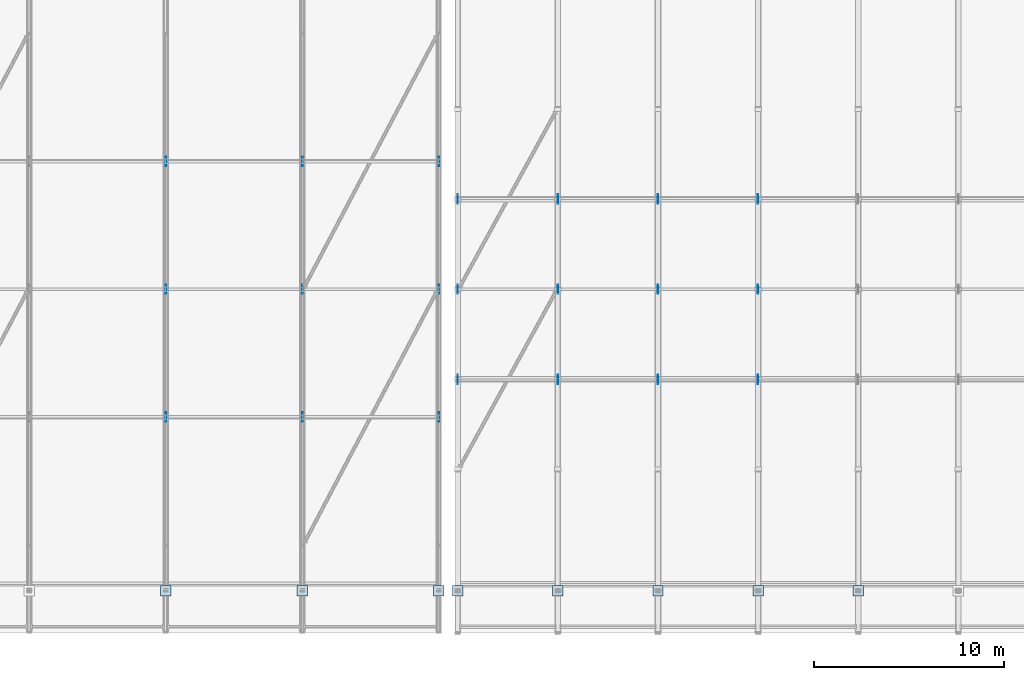
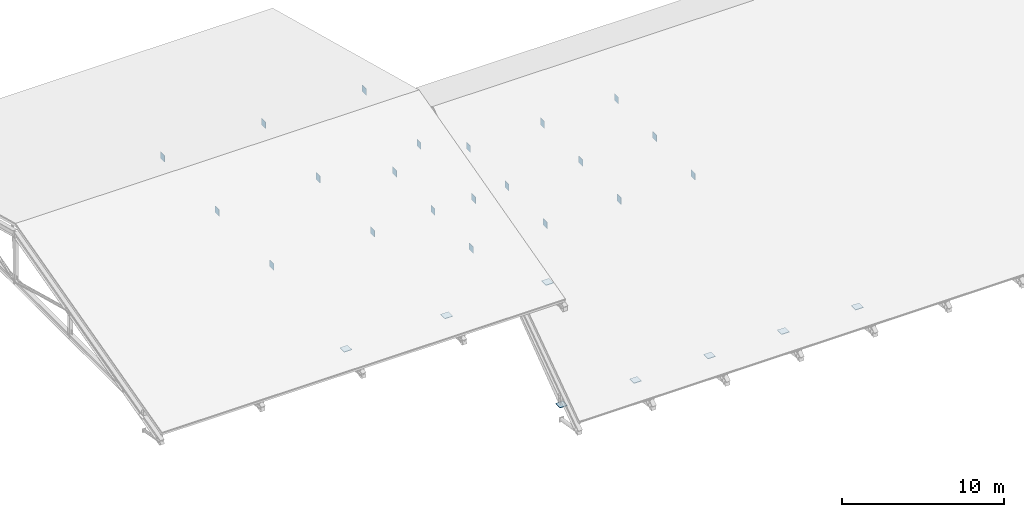
# One storey, part 34 of 57: 29 plates.
"""IFC4 building model written with IfcOpenShell, lengths in metres."""

from ifc_helpers import new_model, si_unit, direction, frame, origin, origin_2d, place, context, subcontext, project, spatial, rectangle, extrude, material, layer, layer_set, type_object, element, save


model = new_model("IFC4")

# Units and contexts
model_context = context("Model", 3, precision=1e-05, world=origin(), true_north=direction((0.0, 1.0)))
body_context = subcontext(model_context, "Body", "Model", "MODEL_VIEW")
ifc_project = project(units=[si_unit("LENGTHUNIT", "METRE"), si_unit("AREAUNIT", "SQUARE_METRE"), si_unit("VOLUMEUNIT", "CUBIC_METRE"), si_unit("PLANEANGLEUNIT", "RADIAN"), si_unit("MASSUNIT", "GRAM", prefix="KILO")], contexts=[model_context])

# Site, building, storey
site_placement = place(None, origin())
site = spatial("IfcSite", under=ifc_project, at=site_placement, CompositionType="ELEMENT")
building_placement = place(site_placement, origin())
building = spatial("IfcBuilding", under=site, at=building_placement, Name="Kelarvand Opera House", CompositionType="ELEMENT")
storey_placement = place(building_placement, frame((0.0, 0.0, 33.60009765625)))
storey = spatial("IfcBuildingStorey", under=building, at=storey_placement, Name="Roof", CompositionType="ELEMENT", Elevation=33.60009765625)

# Plates
ifc_material = material(Name="Steel S355", Category="steel")
ifc_layer_1 = layer(ifc_material, 0.035888671875, Name="Steel S355", Category="steel")
ifc_layer_set_1 = layer_set([ifc_layer_1], Name="Steel S355")
plate_type_1 = type_object("IfcPlateType", Name="Steel Truss Bearing Base Plate 36mm", PredefinedType="USERDEFINED", material=ifc_layer_set_1)
for number, where, z_axis, x_axis, name in (
    (1, (89.0, 46.60009765625, -9.60009765625), (0.0, 0.0, 1.0), (1.0, 0.0, 0.0), "V1 Roof Truss Bearing Plate 1S"),
    (2, (94.280029296875, 46.60009765625, -9.60009765625), (0.0, 0.0, 1.0), (1.0, 0.0, 0.0), "V1 Roof Truss Bearing Plate 2S"),
    (3, (99.56005859375, 46.60009765625, -9.60009765625), (0.0, 0.0, 1.0), (1.0, 0.0, 0.0), "V1 Roof Truss Bearing Plate 3S"),
    (4, (104.840087890625, 46.60009765625, -9.60009765625), (0.0, 0.0, 1.0), (1.0, 0.0, 0.0), "V1 Roof Truss Bearing Plate 4S"),
    (5, (110.1201171875, 46.60009765625, -9.60009765625), (0.0, 0.0, 1.0), (1.0, 0.0, 0.0), "V1 Roof Truss Bearing Plate 5S"),
    (6, (73.60009765625, 46.60009765625, 0.0), (0.0, 0.0, 1.0), (1.0, 0.0, 0.0), "V2 Roof Truss Bearing Plate 3S"),
    (7, (80.800048828125, 46.60009765625, 0.0), (0.0, 0.0, 1.0), (1.0, 0.0, 0.0), "V2 Roof Truss Bearing Plate 4S"),
    (8, (88.0, 46.60009765625, 0.0), (0.0, 0.0, 1.0), (1.0, 0.0, 0.0), "V2 Roof Truss Bearing Plate 5S"),
):
    element("IfcPlate", number, at=place(storey_placement, frame(where, z_axis=z_axis, x_axis=x_axis)), inside=storey, type_object=plate_type_1, Name=name, ObjectType="BASE PLATE", PredefinedType="USERDEFINED", context=body_context, shape_type="SweptSolid", body=[
        extrude(rectangle(XDim=0.550048828125, YDim=0.550048828125, at=origin_2d()), origin(), (0.0, 0.0, 1.0), 0.035888671875),
    ])
ifc_layer_2 = layer(ifc_material, 0.02392578125, Name="Steel S355", Category="steel")
ifc_layer_set_2 = layer_set([ifc_layer_2], Name="Steel S355")
plate_type_2 = type_object("IfcPlateType", Name="Steel Truss Gusset Plate 24mm", PredefinedType="SHEET", material=ifc_layer_set_2)
for number, where, z_axis, x_axis, name in (
    (9, (89.0, 57.75, -4.800048828125), (0.0, 0.0, 1.0), (1.0, 0.0, 0.0), "Roof Truss Gusset Plate 29"),
    (10, (89.0, 62.5, -4.800048828125), (0.0, 0.0, 1.0), (1.0, 0.0, 0.0), "Roof Truss Gusset Plate 30"),
    (11, (89.0, 67.25, -4.800048828125), (0.0, 0.0, 1.0), (1.0, 0.0, 0.0), "Roof Truss Gusset Plate 31"),
    (12, (94.280029296875, 57.75, -4.800048828125), (0.0, 0.0, 1.0), (1.0, 0.0, 0.0), "Roof Truss Gusset Plate 32"),
    (13, (94.280029296875, 62.5, -4.800048828125), (0.0, 0.0, 1.0), (1.0, 0.0, 0.0), "Roof Truss Gusset Plate 33"),
    (14, (94.280029296875, 67.25, -4.800048828125), (0.0, 0.0, 1.0), (1.0, 0.0, 0.0), "Roof Truss Gusset Plate 34"),
    (15, (99.56005859375, 57.75, -4.800048828125), (0.0, 0.0, 1.0), (1.0, 0.0, 0.0), "Roof Truss Gusset Plate 35"),
    (16, (99.56005859375, 62.5, -4.800048828125), (0.0, 0.0, 1.0), (1.0, 0.0, 0.0), "Roof Truss Gusset Plate 36"),
    (17, (99.56005859375, 67.25, -4.800048828125), (0.0, 0.0, 1.0), (1.0, 0.0, 0.0), "Roof Truss Gusset Plate 37"),
    (18, (104.840087890625, 57.75, -4.800048828125), (0.0, 0.0, 1.0), (1.0, 0.0, 0.0), "Roof Truss Gusset Plate 38"),
    (19, (104.840087890625, 62.5, -4.800048828125), (0.0, 0.0, 1.0), (1.0, 0.0, 0.0), "Roof Truss Gusset Plate 39"),
    (20, (104.840087890625, 67.25, -4.800048828125), (0.0, 0.0, 1.0), (1.0, 0.0, 0.0), "Roof Truss Gusset Plate 40"),
    (21, (73.60009765625, 55.75, 0.52001953125), (0.0, 0.0, 1.0), (1.0, 0.0, 0.0), "Roof Truss Gusset Plate 68"),
    (22, (73.60009765625, 62.5, 0.52001953125), (0.0, 0.0, 1.0), (1.0, 0.0, 0.0), "Roof Truss Gusset Plate 69"),
    (23, (73.60009765625, 69.25, 0.52001953125), (0.0, 0.0, 1.0), (1.0, 0.0, 0.0), "Roof Truss Gusset Plate 70"),
    (24, (80.800048828125, 55.75, 0.52001953125), (0.0, 0.0, 1.0), (1.0, 0.0, 0.0), "Roof Truss Gusset Plate 71"),
    (25, (80.800048828125, 62.5, 0.52001953125), (0.0, 0.0, 1.0), (1.0, 0.0, 0.0), "Roof Truss Gusset Plate 72"),
    (26, (80.800048828125, 69.25, 0.52001953125), (0.0, 0.0, 1.0), (1.0, 0.0, 0.0), "Roof Truss Gusset Plate 73"),
    (27, (88.0, 55.75, 0.52001953125), (0.0, 0.0, 1.0), (1.0, 0.0, 0.0), "Roof Truss Gusset Plate 74"),
    (28, (88.0, 62.5, 0.52001953125), (0.0, 0.0, 1.0), (1.0, 0.0, 0.0), "Roof Truss Gusset Plate 75"),
    (29, (88.0, 69.25, 0.52001953125), (0.0, 0.0, 1.0), (1.0, 0.0, 0.0), "Roof Truss Gusset Plate 76"),
):
    element("IfcPlate", number, at=place(storey_placement, frame(where, z_axis=z_axis, x_axis=x_axis)), inside=storey, type_object=plate_type_2, Name=name, PredefinedType="SHEET", context=body_context, shape_type="SweptSolid", body=[
        extrude(rectangle(XDim=0.02392578125, YDim=0.5, at=origin_2d()), origin(), (0.0, 0.0, 1.0), 0.5),
    ])

save(model, "model.ifc")
